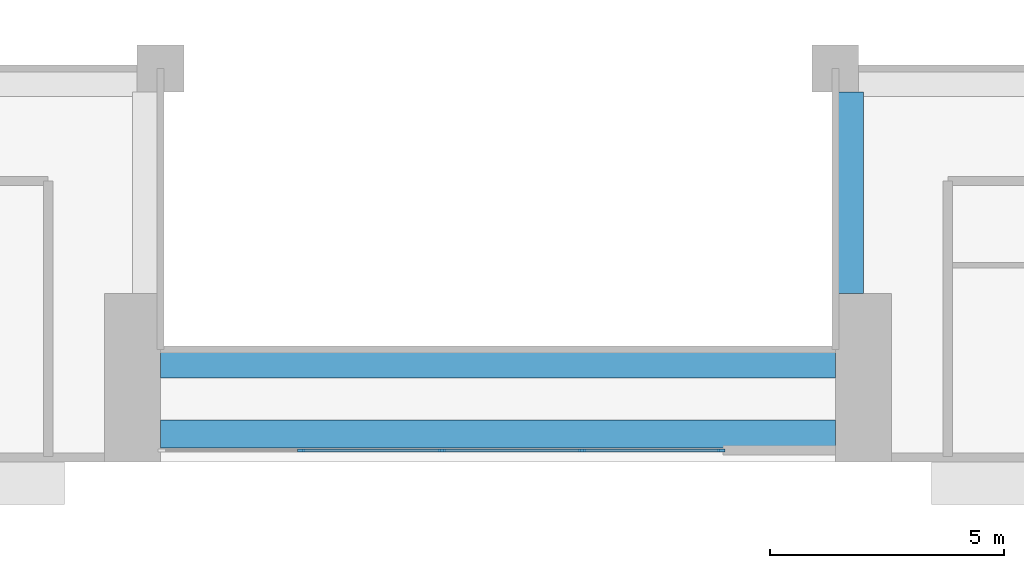
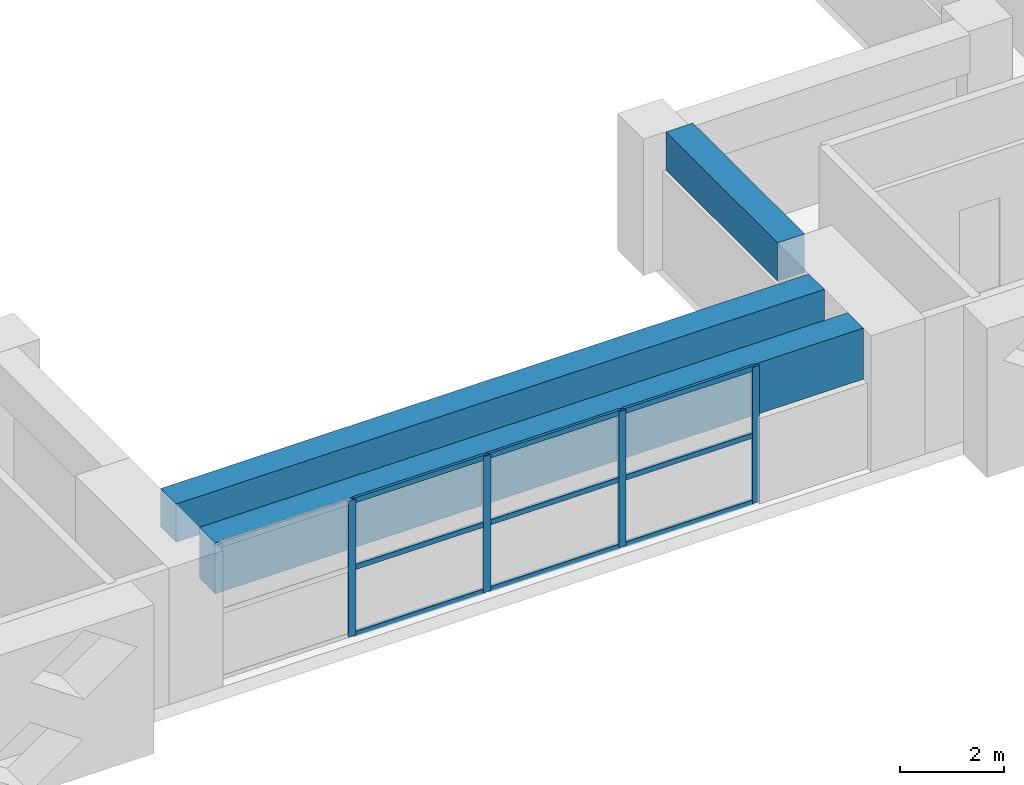
# One storey, part 4 of 20: 13 members, 3 beams, 1 element without a shape of its own.
"""IFC4 building model written with IfcOpenShell, lengths in metres."""

from ifc_helpers import new_model, si_unit, direction, frame, origin, origin_2d, place, context, subcontext, project, spatial, rectangle, extrude, source, transform, mapped, material, layer, layer_set, material_profile, profile_set, type_object, element, aggregate, save


model = new_model("IFC4")

# Units and contexts
model_context = context("Model", 3, precision=1e-05, world=origin(), true_north=direction((0.0, 1.0)))
body_context = subcontext(model_context, "Body", "Model", "MODEL_VIEW")
ifc_project = project(units=[si_unit("LENGTHUNIT", "METRE"), si_unit("AREAUNIT", "SQUARE_METRE"), si_unit("VOLUMEUNIT", "CUBIC_METRE"), si_unit("PLANEANGLEUNIT", "RADIAN"), si_unit("MASSUNIT", "GRAM", prefix="KILO")], contexts=[model_context])

# Site, building, storey
site_placement = place(None, origin())
site = spatial("IfcSite", under=ifc_project, at=site_placement, CompositionType="ELEMENT")
building_placement = place(site_placement, origin())
building = spatial("IfcBuilding", under=site, at=building_placement, Name="Saffron Iwan Residences", CompositionType="ELEMENT")
storey_placement = place(building_placement, frame((0.0, 0.0, 150.0)))
storey = spatial("IfcBuildingStorey", under=building, at=storey_placement, Name="L39", CompositionType="ELEMENT", Elevation=150.0)

# Beams
ifc_material_1 = material(Name="Concrete C50/60", Category="concrete")
ifc_material_profile_1 = material_profile(ifc_material_1, rectangle(XDim=0.60009765625, YDim=1.199951171875, at=origin_2d()), Name="RC 600x1200")
ifc_profile_set_1 = profile_set([ifc_material_profile_1], Name="Concrete C50/60")
beam_type_1 = type_object("IfcBeamType", Name="LINTEL BEAM RC 600x1200 C50/60 TOP 3200", PredefinedType="LINTEL", material=ifc_profile_set_1)
shared_shape_1 = source(origin(), body_context, "Body", "SweptSolid", [
    extrude(rectangle(XDim=0.60009765625, YDim=1.199951171875, at=origin_2d()), origin(), (0.0, 0.0, 1.0), 14.400146484375),
])
beam_1_placement = place(storey_placement, frame((57.60009765625, 40.199951171875, 2.60009765625), z_axis=(-1.0, 0.0, 0.0), x_axis=(0.0, -1.0, 0.0)))
element("IfcBeam", 1, at=beam_1_placement, inside=storey, type_object=beam_type_1, Name="Lintel beam over the iwan", PredefinedType="LINTEL", context=body_context, shape_type="MappedRepresentation", body=[
    mapped(shared_shape_1, transform((0.0, 0.0, 0.0))),
])
ifc_material_profile_2 = material_profile(ifc_material_1, rectangle(XDim=0.60009765625, YDim=0.89990234375, at=origin_2d()), Name="RC 600x900")
ifc_profile_set_2 = profile_set([ifc_material_profile_2], Name="Concrete C50/60")
beam_type_2 = type_object("IfcBeamType", Name="BEAM RC 600x900 C50/60 TOP 3200", PredefinedType="BEAM", material=ifc_profile_set_2)
shared_shape_2 = source(origin(), body_context, "Body", "SweptSolid", [
    extrude(rectangle(XDim=0.60009765625, YDim=0.89990234375, at=origin_2d()), origin(), (0.0, 0.0, 1.0), 14.400146484375),
])
beam_2_placement = place(storey_placement, frame((57.60009765625, 41.699951171875, 2.75), z_axis=(-1.0, 0.0, 0.0), x_axis=(0.0, -1.0, 0.0)))
element("IfcBeam", 2, at=beam_2_placement, inside=storey, type_object=beam_type_2, Name="Atrium edge beam", PredefinedType="BEAM", context=body_context, shape_type="MappedRepresentation", body=[
    mapped(shared_shape_2, transform((0.0, 0.0, 0.0))),
])
shared_shape_3 = source(origin(), body_context, "Body", "SweptSolid", [
    extrude(rectangle(XDim=0.60009765625, YDim=0.89990234375, at=origin_2d()), origin(), (0.0, 0.0, 1.0), 4.300048828125),
])
beam_3_placement = place(storey_placement, frame((57.89990234375, 47.5, 2.75), z_axis=(0.0, -1.0, 0.0), x_axis=(1.0, 0.0, 0.0)))
element("IfcBeam", 3, at=beam_3_placement, inside=storey, type_object=beam_type_2, Name="Atrium edge beam", PredefinedType="BEAM", context=body_context, shape_type="MappedRepresentation", body=[
    mapped(shared_shape_3, transform((0.0, 0.0, 0.0))),
])

# Curtain wall, members
ifc_material_2 = material(Name="Clear glass, laminated double glazed", Category="glass")
ifc_layer = layer(ifc_material_2, 0.199951171875)
ifc_layer_set = layer_set([ifc_layer], Name="Clear glass, laminated double glazed")
curtain_wall_type = type_object("IfcCurtainWallType", Name="CW-B IWAN PORTAL", PredefinedType="NOTDEFINED", material=ifc_layer_set)
curtain_wall_placement = place(storey_placement, origin())
curtain_wall = element("IfcCurtainWall", 4, at=curtain_wall_placement, inside=storey, type_object=curtain_wall_type, Name="Iwan portal glazing L39.1", PredefinedType="NOTDEFINED")
ifc_material_3 = material(Name="Aluminium 6063-T6", Category="aluminium")
ifc_material_profile_3 = material_profile(ifc_material_3, rectangle(XDim=0.06005859375, YDim=0.1201171875, at=origin_2d()), Name="CW-B TRANSOM 60 x 120")
ifc_profile_set_3 = profile_set([ifc_material_profile_3], Name="Aluminium 6063-T6")
member_type_1 = type_object("IfcMemberType", Name="CW-B TRANSOM 60 x 120", PredefinedType="USERDEFINED", material=ifc_profile_set_3)
shared_shape_4 = source(origin(), body_context, "Body", "SweptSolid", [
    extrude(rectangle(XDim=0.06005859375, YDim=0.1201171875, at=origin_2d()), origin(), (0.0, 0.0, 1.0), 2.909912109375),
])
member_1_placement = place(storey_placement, frame((52.22998046875, 39.85009765625, 0.030029296875), z_axis=(1.0, 0.0, 0.0), x_axis=(0.0, 1.0, 0.0)))
member_1 = element("IfcMember", 5, at=member_1_placement, type_object=member_type_1, Name="CW-B transom 4.1", ObjectType="TRANSOM", PredefinedType="USERDEFINED", context=body_context, shape_type="MappedRepresentation", body=[
    mapped(shared_shape_4, transform((0.0, 0.0, 0.0))),
])
member_2_placement = place(storey_placement, frame((52.22998046875, 39.85009765625, 1.60009765625), z_axis=(1.0, 0.0, 0.0), x_axis=(0.0, 1.0, 0.0)))
member_2 = element("IfcMember", 6, at=member_2_placement, type_object=member_type_1, Name="CW-B transom 4.2", ObjectType="TRANSOM", PredefinedType="USERDEFINED", context=body_context, shape_type="MappedRepresentation", body=[
    mapped(shared_shape_4, transform((0.0, 0.0, 0.0))),
])
member_3_placement = place(storey_placement, frame((52.22998046875, 39.85009765625, 3.169921875), z_axis=(1.0, 0.0, 0.0), x_axis=(0.0, 1.0, 0.0)))
member_3 = element("IfcMember", 7, at=member_3_placement, type_object=member_type_1, Name="CW-B transom 4.3", ObjectType="TRANSOM", PredefinedType="USERDEFINED", context=body_context, shape_type="MappedRepresentation", body=[
    mapped(shared_shape_4, transform((0.0, 0.0, 0.0))),
])
shared_shape_5 = source(origin(), body_context, "Body", "SweptSolid", [
    extrude(rectangle(XDim=0.06005859375, YDim=0.1201171875, at=origin_2d()), origin(), (0.0, 0.0, 1.0), 2.93994140625),
])
member_4_placement = place(storey_placement, frame((46.22998046875, 39.85009765625, 0.030029296875), z_axis=(1.0, 0.0, 0.0), x_axis=(0.0, 1.0, 0.0)))
member_4 = element("IfcMember", 8, at=member_4_placement, type_object=member_type_1, Name="CW-B transom 2.1", ObjectType="TRANSOM", PredefinedType="USERDEFINED", context=body_context, shape_type="MappedRepresentation", body=[
    mapped(shared_shape_5, transform((0.0, 0.0, 0.0))),
])
member_5_placement = place(storey_placement, frame((46.22998046875, 39.85009765625, 1.60009765625), z_axis=(1.0, 0.0, 0.0), x_axis=(0.0, 1.0, 0.0)))
member_5 = element("IfcMember", 9, at=member_5_placement, type_object=member_type_1, Name="CW-B transom 2.2", ObjectType="TRANSOM", PredefinedType="USERDEFINED", context=body_context, shape_type="MappedRepresentation", body=[
    mapped(shared_shape_5, transform((0.0, 0.0, 0.0))),
])
member_6_placement = place(storey_placement, frame((46.22998046875, 39.85009765625, 3.169921875), z_axis=(1.0, 0.0, 0.0), x_axis=(0.0, 1.0, 0.0)))
member_6 = element("IfcMember", 10, at=member_6_placement, type_object=member_type_1, Name="CW-B transom 2.3", ObjectType="TRANSOM", PredefinedType="USERDEFINED", context=body_context, shape_type="MappedRepresentation", body=[
    mapped(shared_shape_5, transform((0.0, 0.0, 0.0))),
])
member_7_placement = place(storey_placement, frame((49.22998046875, 39.85009765625, 0.030029296875), z_axis=(1.0, 0.0, 0.0), x_axis=(0.0, 1.0, 0.0)))
member_7 = element("IfcMember", 11, at=member_7_placement, type_object=member_type_1, Name="CW-B transom 3.1", ObjectType="TRANSOM", PredefinedType="USERDEFINED", context=body_context, shape_type="MappedRepresentation", body=[
    mapped(shared_shape_5, transform((0.0, 0.0, 0.0))),
])
member_8_placement = place(storey_placement, frame((49.22998046875, 39.85009765625, 1.60009765625), z_axis=(1.0, 0.0, 0.0), x_axis=(0.0, 1.0, 0.0)))
member_8 = element("IfcMember", 12, at=member_8_placement, type_object=member_type_1, Name="CW-B transom 3.2", ObjectType="TRANSOM", PredefinedType="USERDEFINED", context=body_context, shape_type="MappedRepresentation", body=[
    mapped(shared_shape_5, transform((0.0, 0.0, 0.0))),
])
member_9_placement = place(storey_placement, frame((49.22998046875, 39.85009765625, 3.169921875), z_axis=(1.0, 0.0, 0.0), x_axis=(0.0, 1.0, 0.0)))
member_9 = element("IfcMember", 13, at=member_9_placement, type_object=member_type_1, Name="CW-B transom 3.3", ObjectType="TRANSOM", PredefinedType="USERDEFINED", context=body_context, shape_type="MappedRepresentation", body=[
    mapped(shared_shape_5, transform((0.0, 0.0, 0.0))),
])
ifc_material_profile_4 = material_profile(ifc_material_3, rectangle(XDim=0.06005859375, YDim=0.159912109375, at=origin_2d()), Name="CW-B MULLION 60 x 160")
ifc_profile_set_4 = profile_set([ifc_material_profile_4], Name="Aluminium 6063-T6")
member_type_2 = type_object("IfcMemberType", Name="CW-B MULLION 60 x 160", PredefinedType="MULLION", material=ifc_profile_set_4)
shared_shape_6 = source(origin(), body_context, "Body", "SweptSolid", [
    extrude(rectangle(XDim=0.06005859375, YDim=0.159912109375, at=origin_2d()), origin(), (0.0, 0.0, 1.0), 3.199951171875),
])
member_10_placement = place(storey_placement, frame((46.199951171875, 39.85009765625, 0.0), z_axis=(0.0, 0.0, 1.0), x_axis=(0.0, 1.0, 0.0)))
member_10 = element("IfcMember", 14, at=member_10_placement, type_object=member_type_2, Name="CW-B mullion 2", PredefinedType="MULLION", context=body_context, shape_type="MappedRepresentation", body=[
    mapped(shared_shape_6, transform((0.0, 0.0, 0.0))),
])
member_11_placement = place(storey_placement, frame((49.199951171875, 39.85009765625, 0.0), z_axis=(0.0, 0.0, 1.0), x_axis=(0.0, 1.0, 0.0)))
member_11 = element("IfcMember", 15, at=member_11_placement, type_object=member_type_2, Name="CW-B mullion 3", PredefinedType="MULLION", context=body_context, shape_type="MappedRepresentation", body=[
    mapped(shared_shape_6, transform((0.0, 0.0, 0.0))),
])
member_12_placement = place(storey_placement, frame((52.199951171875, 39.85009765625, 0.0), z_axis=(0.0, 0.0, 1.0), x_axis=(0.0, 1.0, 0.0)))
member_12 = element("IfcMember", 16, at=member_12_placement, type_object=member_type_2, Name="CW-B mullion 4", PredefinedType="MULLION", context=body_context, shape_type="MappedRepresentation", body=[
    mapped(shared_shape_6, transform((0.0, 0.0, 0.0))),
])
member_13_placement = place(storey_placement, frame((55.169921875, 39.85009765625, 0.0), z_axis=(0.0, 0.0, 1.0), x_axis=(0.0, 1.0, 0.0)))
member_13 = element("IfcMember", 17, at=member_13_placement, type_object=member_type_2, Name="CW-B mullion 5", PredefinedType="MULLION", context=body_context, shape_type="MappedRepresentation", body=[
    mapped(shared_shape_6, transform((0.0, 0.0, 0.0))),
])
aggregate(curtain_wall, [member_10, member_11, member_12, member_13, member_4, member_5, member_6, member_7, member_8, member_9, member_1, member_2, member_3])

save(model, "model.ifc")
